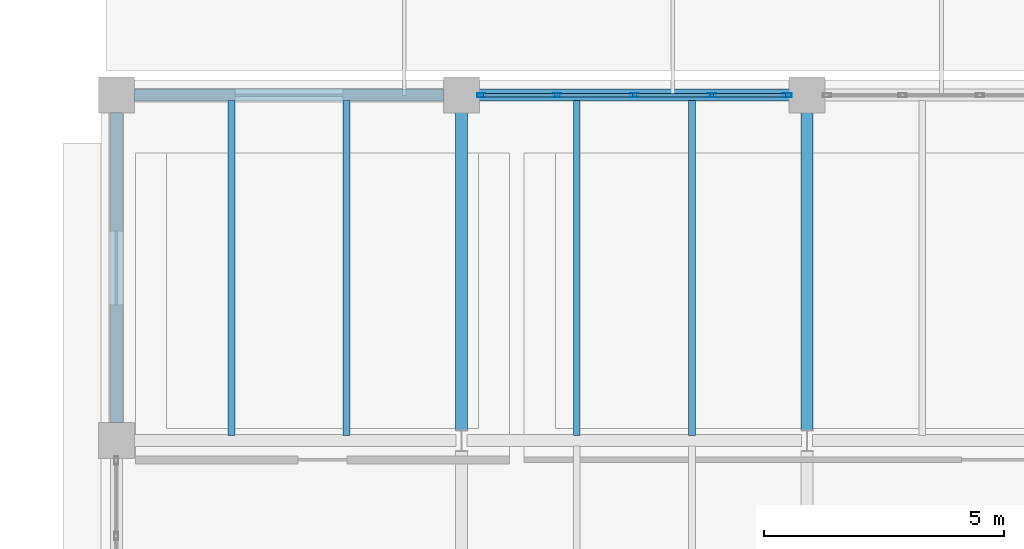
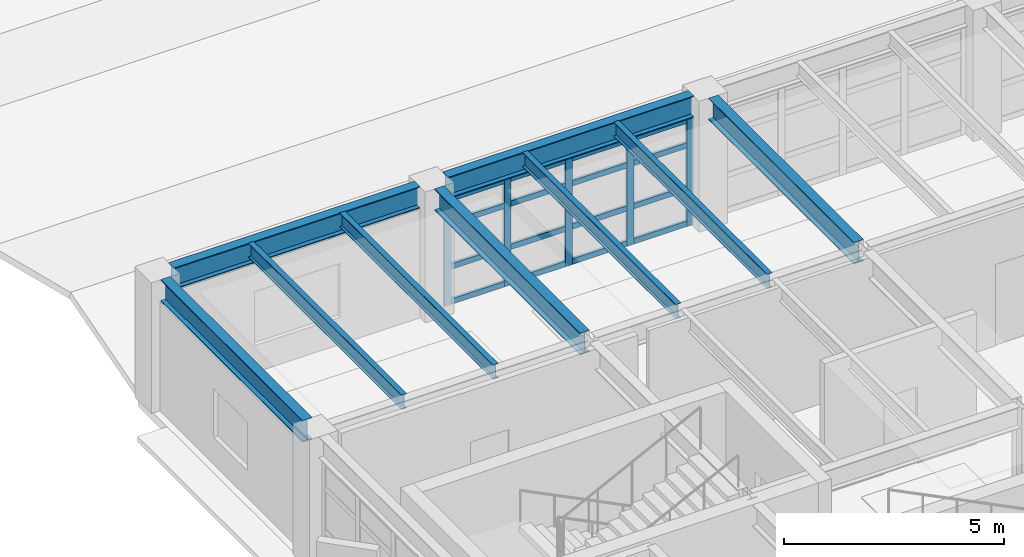
# One storey, part 10 of 48: 21 members, 9 beams, 1 element without a shape of its own.
"""IFC4 building model written with IfcOpenShell, lengths in metres."""

from ifc_helpers import new_model, si_unit, direction, frame, origin, origin_2d, place, context, subcontext, project, spatial, hollow_rectangle, i_section, extrude, material, layer, layer_set, material_profile, profile_set, type_object, element, aggregate, save


model = new_model("IFC4")

# Units and contexts
model_context = context("Model", 3, precision=1e-05, world=origin(), true_north=direction((0.0, 1.0)))
body_context = subcontext(model_context, "Body", "Model", "MODEL_VIEW")
ifc_project = project(units=[si_unit("LENGTHUNIT", "METRE"), si_unit("AREAUNIT", "SQUARE_METRE"), si_unit("VOLUMEUNIT", "CUBIC_METRE"), si_unit("PLANEANGLEUNIT", "RADIAN"), si_unit("MASSUNIT", "GRAM", prefix="KILO")], contexts=[model_context])

# Site, building, storey
site_placement = place(None, origin())
site = spatial("IfcSite", under=ifc_project, at=site_placement, CompositionType="ELEMENT")
building_placement = place(site_placement, origin())
building = spatial("IfcBuilding", under=site, at=building_placement, Name="Kandorven Conservatory and Botanical Research Centre", CompositionType="ELEMENT")
storey_placement = place(building_placement, frame((0.0, 0.0, 13.199951171875)))
storey = spatial("IfcBuildingStorey", under=building, at=storey_placement, Name="L03", CompositionType="ELEMENT", Elevation=13.199951171875)

# Beams
ifc_material_1 = material(Name="Steel S355 (IS 2062 E350)", Category="steel")
ifc_material_profile_1 = material_profile(ifc_material_1, i_section(OverallWidth=0.25, OverallDepth=0.60009765625, WebThickness=0.01171875, FlangeThickness=0.023681640625, at=origin_2d()))
ifc_profile_set_1 = profile_set([ifc_material_profile_1], Name="Steel S355 (IS 2062 E350)")
beam_type_1 = type_object("IfcBeamType", Name="Beam_FG-01", PredefinedType="USERDEFINED", material=ifc_profile_set_1)
for number, where, z_axis, x_axis, name in (
    (1, (6.364990234375, 34.800048828125, 3.3349609375), (1.0, 0.0, 0.0), (0.0, 1.0, 0.0), "Primary girder FG-01 TWR L03"),
    (2, (13.56494140625, 34.800048828125, 3.3349609375), (1.0, 0.0, 0.0), (0.0, 1.0, 0.0), "Primary girder FG-01 TWR L03"),
    (3, (6.0, 27.965087890625, 3.3349609375), (0.0, 1.0, 0.0), (-1.0, 0.0, 0.0), "Primary girder FG-01 TWR L03"),
):
    element("IfcBeam", number, at=place(storey_placement, frame(where, z_axis=z_axis, x_axis=x_axis)), inside=storey, type_object=beam_type_1, Name=name, ObjectType="GIRDER", PredefinedType="USERDEFINED", context=body_context, shape_type="SweptSolid", body=[
        extrude(i_section(OverallWidth=0.25, OverallDepth=0.60009765625, WebThickness=0.01171875, FlangeThickness=0.023681640625, at=origin_2d()), origin(), (0.0, 0.0, 1.0), 6.469970703125),
    ])
for number, where, z_axis, x_axis, name in (
    (4, (13.199951171875, 27.81494140625, 3.3349609375), (0.0, 1.0, 0.0), (-1.0, 0.0, 0.0), "Primary girder FG-01 TWR L03"),
    (5, (20.39990234375, 27.81494140625, 3.3349609375), (0.0, 1.0, 0.0), (-1.0, 0.0, 0.0), "Primary girder FG-01 TWR L03"),
):
    element("IfcBeam", number, at=place(storey_placement, frame(where, z_axis=z_axis, x_axis=x_axis)), inside=storey, type_object=beam_type_1, Name=name, ObjectType="GIRDER", PredefinedType="USERDEFINED", context=body_context, shape_type="SweptSolid", body=[
        extrude(i_section(OverallWidth=0.25, OverallDepth=0.60009765625, WebThickness=0.01171875, FlangeThickness=0.023681640625, at=origin_2d()), origin(), (0.0, 0.0, 1.0), 6.6201171875),
    ])
ifc_material_2 = material(Name="Steel S355 (IS 2062 E350)", Category="steel")
ifc_material_profile_2 = material_profile(ifc_material_2, i_section(OverallWidth=0.139892578125, OverallDepth=0.39990234375, WebThickness=0.0087890625, FlangeThickness=0.01611328125, at=origin_2d()))
ifc_profile_set_2 = profile_set([ifc_material_profile_2], Name="Steel S355 (IS 2062 E350)")
beam_type_2 = type_object("IfcBeamType", Name="Beam_SB-05", PredefinedType="BEAM", material=ifc_profile_set_2)
for number, where, z_axis, x_axis, name in (
    (6, (8.39990234375, 27.7099609375, 3.43505859375), (0.0, 1.0, 0.0), (-1.0, 0.0, 0.0), "Composite secondary beam SB-05 TWR L03"),
    (7, (10.800048828125, 27.7099609375, 3.43505859375), (0.0, 1.0, 0.0), (-1.0, 0.0, 0.0), "Composite secondary beam SB-05 TWR L03"),
    (8, (15.60009765625, 27.7099609375, 3.43505859375), (0.0, 1.0, 0.0), (-1.0, 0.0, 0.0), "Composite secondary beam SB-05 TWR L03"),
    (9, (18.0, 27.7099609375, 3.43505859375), (0.0, 1.0, 0.0), (-1.0, 0.0, 0.0), "Composite secondary beam SB-05 TWR L03"),
):
    element("IfcBeam", number, at=place(storey_placement, frame(where, z_axis=z_axis, x_axis=x_axis)), inside=storey, type_object=beam_type_2, Name=name, PredefinedType="BEAM", context=body_context, shape_type="SweptSolid", body=[
        extrude(i_section(OverallWidth=0.139892578125, OverallDepth=0.39990234375, WebThickness=0.0087890625, FlangeThickness=0.01611328125, at=origin_2d()), origin(), (0.0, 0.0, 1.0), 6.97998046875),
    ])

# Curtain wall, members
ifc_material_3 = material(Name="Bronze anodised thermally broken aluminium", Category="aluminium")
ifc_layer = layer(ifc_material_3, 0.179931640625)
ifc_layer_set = layer_set([ifc_layer], Name="Bronze anodised thermally broken aluminium")
curtain_wall_type = type_object("IfcCurtainWallType", Name="CW_Unitised", PredefinedType="USERDEFINED", material=ifc_layer_set)
curtain_wall_placement = place(storey_placement, origin())
curtain_wall = element("IfcCurtainWall", 10, at=curtain_wall_placement, inside=storey, type_object=curtain_wall_type, Name="Tower laboratory curtain wall CW-TWR-N-L03-2", ObjectType="UNITISED GLAZING", PredefinedType="USERDEFINED")
ifc_material_4 = material(Name="Bronze anodised thermally broken aluminium", Category="aluminium")
ifc_material_profile_3 = material_profile(ifc_material_4, hollow_rectangle(XDim=0.080078125, YDim=0.179931640625, WallThickness=0.006103515625, at=origin_2d()))
ifc_profile_set_3 = profile_set([ifc_material_profile_3], Name="Bronze anodised thermally broken aluminium")
member_type_1 = type_object("IfcMemberType", Name="CW_Mullion", PredefinedType="MULLION", material=ifc_profile_set_3)
member_1_placement = place(storey_placement, frame((13.614990234375, 34.800048828125, 0.0), z_axis=(0.0, 0.0, 1.0), x_axis=(0.0, 1.0, 0.0)))
member_1 = element("IfcMember", 11, at=member_1_placement, type_object=member_type_1, Name="CW-01 mullion 1", PredefinedType="MULLION", context=body_context, shape_type="SweptSolid", body=[
    extrude(hollow_rectangle(XDim=0.080078125, YDim=0.179931640625, WallThickness=0.006103515625, at=origin_2d()), origin(), (0.0, 0.0, 1.0), 3.01513671875),
])
member_2_placement = place(storey_placement, frame((15.1875, 34.800048828125, 0.0), z_axis=(0.0, 0.0, 1.0), x_axis=(0.0, 1.0, 0.0)))
member_2 = element("IfcMember", 12, at=member_2_placement, type_object=member_type_1, Name="CW-01 mullion 2", PredefinedType="MULLION", context=body_context, shape_type="SweptSolid", body=[
    extrude(hollow_rectangle(XDim=0.080078125, YDim=0.179931640625, WallThickness=0.006103515625, at=origin_2d()), origin(), (0.0, 0.0, 1.0), 3.01513671875),
])
member_3_placement = place(storey_placement, frame((16.800048828125, 34.800048828125, 0.0), z_axis=(0.0, 0.0, 1.0), x_axis=(0.0, 1.0, 0.0)))
member_3 = element("IfcMember", 13, at=member_3_placement, type_object=member_type_1, Name="CW-01 mullion 3", PredefinedType="MULLION", context=body_context, shape_type="SweptSolid", body=[
    extrude(hollow_rectangle(XDim=0.080078125, YDim=0.179931640625, WallThickness=0.006103515625, at=origin_2d()), origin(), (0.0, 0.0, 1.0), 3.01513671875),
])
member_4_placement = place(storey_placement, frame((18.41259765625, 34.800048828125, 0.0), z_axis=(0.0, 0.0, 1.0), x_axis=(0.0, 1.0, 0.0)))
member_4 = element("IfcMember", 14, at=member_4_placement, type_object=member_type_1, Name="CW-01 mullion 4", PredefinedType="MULLION", context=body_context, shape_type="SweptSolid", body=[
    extrude(hollow_rectangle(XDim=0.080078125, YDim=0.179931640625, WallThickness=0.006103515625, at=origin_2d()), origin(), (0.0, 0.0, 1.0), 3.01513671875),
])
member_5_placement = place(storey_placement, frame((19.985107421875, 34.800048828125, 0.0), z_axis=(0.0, 0.0, 1.0), x_axis=(0.0, 1.0, 0.0)))
member_5 = element("IfcMember", 15, at=member_5_placement, type_object=member_type_1, Name="CW-01 mullion 5", PredefinedType="MULLION", context=body_context, shape_type="SweptSolid", body=[
    extrude(hollow_rectangle(XDim=0.080078125, YDim=0.179931640625, WallThickness=0.006103515625, at=origin_2d()), origin(), (0.0, 0.0, 1.0), 3.01513671875),
])
ifc_material_5 = material(Name="Bronze anodised thermally broken aluminium", Category="aluminium")
ifc_material_profile_4 = material_profile(ifc_material_5, hollow_rectangle(XDim=0.074951171875, YDim=0.14990234375, WallThickness=0.006103515625, at=origin_2d()))
ifc_profile_set_4 = profile_set([ifc_material_profile_4], Name="Bronze anodised thermally broken aluminium")
member_type_2 = type_object("IfcMemberType", Name="CW_Transom", PredefinedType="USERDEFINED", material=ifc_profile_set_4)
member_6_placement = place(storey_placement, frame((13.655029296875, 34.800048828125, 0.074951171875), z_axis=(1.0, 0.0, 0.0), x_axis=(0.0, 1.0, 0.0)))
member_6 = element("IfcMember", 16, at=member_6_placement, type_object=member_type_2, Name="CW-01 transom 1.1", ObjectType="TRANSOM", PredefinedType="USERDEFINED", context=body_context, shape_type="SweptSolid", body=[
    extrude(hollow_rectangle(XDim=0.074951171875, YDim=0.14990234375, WallThickness=0.006103515625, at=origin_2d()), origin(), (0.0, 0.0, 1.0), 1.492431640625),
])
member_7_placement = place(storey_placement, frame((13.655029296875, 34.800048828125, 1.050048828125), z_axis=(1.0, 0.0, 0.0), x_axis=(0.0, 1.0, 0.0)))
member_7 = element("IfcMember", 17, at=member_7_placement, type_object=member_type_2, Name="CW-01 transom 1.2", ObjectType="TRANSOM", PredefinedType="USERDEFINED", context=body_context, shape_type="SweptSolid", body=[
    extrude(hollow_rectangle(XDim=0.074951171875, YDim=0.14990234375, WallThickness=0.006103515625, at=origin_2d()), origin(), (0.0, 0.0, 1.0), 1.492431640625),
])
member_8_placement = place(storey_placement, frame((13.655029296875, 34.800048828125, 2.25), z_axis=(1.0, 0.0, 0.0), x_axis=(0.0, 1.0, 0.0)))
member_8 = element("IfcMember", 18, at=member_8_placement, type_object=member_type_2, Name="CW-01 transom 1.3", ObjectType="TRANSOM", PredefinedType="USERDEFINED", context=body_context, shape_type="SweptSolid", body=[
    extrude(hollow_rectangle(XDim=0.074951171875, YDim=0.14990234375, WallThickness=0.006103515625, at=origin_2d()), origin(), (0.0, 0.0, 1.0), 1.492431640625),
])
member_9_placement = place(storey_placement, frame((13.655029296875, 34.800048828125, 2.93994140625), z_axis=(1.0, 0.0, 0.0), x_axis=(0.0, 1.0, 0.0)))
member_9 = element("IfcMember", 19, at=member_9_placement, type_object=member_type_2, Name="CW-01 transom 1.4", ObjectType="TRANSOM", PredefinedType="USERDEFINED", context=body_context, shape_type="SweptSolid", body=[
    extrude(hollow_rectangle(XDim=0.074951171875, YDim=0.14990234375, WallThickness=0.006103515625, at=origin_2d()), origin(), (0.0, 0.0, 1.0), 1.492431640625),
])
member_10_placement = place(storey_placement, frame((15.2275390625, 34.800048828125, 0.074951171875), z_axis=(1.0, 0.0, 0.0), x_axis=(0.0, 1.0, 0.0)))
member_10 = element("IfcMember", 20, at=member_10_placement, type_object=member_type_2, Name="CW-01 transom 2.1", ObjectType="TRANSOM", PredefinedType="USERDEFINED", context=body_context, shape_type="SweptSolid", body=[
    extrude(hollow_rectangle(XDim=0.074951171875, YDim=0.14990234375, WallThickness=0.006103515625, at=origin_2d()), origin(), (0.0, 0.0, 1.0), 1.532470703125),
])
member_11_placement = place(storey_placement, frame((15.2275390625, 34.800048828125, 1.050048828125), z_axis=(1.0, 0.0, 0.0), x_axis=(0.0, 1.0, 0.0)))
member_11 = element("IfcMember", 21, at=member_11_placement, type_object=member_type_2, Name="CW-01 transom 2.2", ObjectType="TRANSOM", PredefinedType="USERDEFINED", context=body_context, shape_type="SweptSolid", body=[
    extrude(hollow_rectangle(XDim=0.074951171875, YDim=0.14990234375, WallThickness=0.006103515625, at=origin_2d()), origin(), (0.0, 0.0, 1.0), 1.532470703125),
])
member_12_placement = place(storey_placement, frame((15.2275390625, 34.800048828125, 2.25), z_axis=(1.0, 0.0, 0.0), x_axis=(0.0, 1.0, 0.0)))
member_12 = element("IfcMember", 22, at=member_12_placement, type_object=member_type_2, Name="CW-01 transom 2.3", ObjectType="TRANSOM", PredefinedType="USERDEFINED", context=body_context, shape_type="SweptSolid", body=[
    extrude(hollow_rectangle(XDim=0.074951171875, YDim=0.14990234375, WallThickness=0.006103515625, at=origin_2d()), origin(), (0.0, 0.0, 1.0), 1.532470703125),
])
member_13_placement = place(storey_placement, frame((15.2275390625, 34.800048828125, 2.93994140625), z_axis=(1.0, 0.0, 0.0), x_axis=(0.0, 1.0, 0.0)))
member_13 = element("IfcMember", 23, at=member_13_placement, type_object=member_type_2, Name="CW-01 transom 2.4", ObjectType="TRANSOM", PredefinedType="USERDEFINED", context=body_context, shape_type="SweptSolid", body=[
    extrude(hollow_rectangle(XDim=0.074951171875, YDim=0.14990234375, WallThickness=0.006103515625, at=origin_2d()), origin(), (0.0, 0.0, 1.0), 1.532470703125),
])
member_14_placement = place(storey_placement, frame((16.840087890625, 34.800048828125, 0.074951171875), z_axis=(1.0, 0.0, 0.0), x_axis=(0.0, 1.0, 0.0)))
member_14 = element("IfcMember", 24, at=member_14_placement, type_object=member_type_2, Name="CW-01 transom 3.1", ObjectType="TRANSOM", PredefinedType="USERDEFINED", context=body_context, shape_type="SweptSolid", body=[
    extrude(hollow_rectangle(XDim=0.074951171875, YDim=0.14990234375, WallThickness=0.006103515625, at=origin_2d()), origin(), (0.0, 0.0, 1.0), 1.532470703125),
])
member_15_placement = place(storey_placement, frame((16.840087890625, 34.800048828125, 1.050048828125), z_axis=(1.0, 0.0, 0.0), x_axis=(0.0, 1.0, 0.0)))
member_15 = element("IfcMember", 25, at=member_15_placement, type_object=member_type_2, Name="CW-01 transom 3.2", ObjectType="TRANSOM", PredefinedType="USERDEFINED", context=body_context, shape_type="SweptSolid", body=[
    extrude(hollow_rectangle(XDim=0.074951171875, YDim=0.14990234375, WallThickness=0.006103515625, at=origin_2d()), origin(), (0.0, 0.0, 1.0), 1.532470703125),
])
member_16_placement = place(storey_placement, frame((16.840087890625, 34.800048828125, 2.25), z_axis=(1.0, 0.0, 0.0), x_axis=(0.0, 1.0, 0.0)))
member_16 = element("IfcMember", 26, at=member_16_placement, type_object=member_type_2, Name="CW-01 transom 3.3", ObjectType="TRANSOM", PredefinedType="USERDEFINED", context=body_context, shape_type="SweptSolid", body=[
    extrude(hollow_rectangle(XDim=0.074951171875, YDim=0.14990234375, WallThickness=0.006103515625, at=origin_2d()), origin(), (0.0, 0.0, 1.0), 1.532470703125),
])
member_17_placement = place(storey_placement, frame((16.840087890625, 34.800048828125, 2.93994140625), z_axis=(1.0, 0.0, 0.0), x_axis=(0.0, 1.0, 0.0)))
member_17 = element("IfcMember", 27, at=member_17_placement, type_object=member_type_2, Name="CW-01 transom 3.4", ObjectType="TRANSOM", PredefinedType="USERDEFINED", context=body_context, shape_type="SweptSolid", body=[
    extrude(hollow_rectangle(XDim=0.074951171875, YDim=0.14990234375, WallThickness=0.006103515625, at=origin_2d()), origin(), (0.0, 0.0, 1.0), 1.532470703125),
])
member_18_placement = place(storey_placement, frame((18.452392578125, 34.800048828125, 0.074951171875), z_axis=(1.0, 0.0, 0.0), x_axis=(0.0, 1.0, 0.0)))
member_18 = element("IfcMember", 28, at=member_18_placement, type_object=member_type_2, Name="CW-01 transom 4.1", ObjectType="TRANSOM", PredefinedType="USERDEFINED", context=body_context, shape_type="SweptSolid", body=[
    extrude(hollow_rectangle(XDim=0.074951171875, YDim=0.14990234375, WallThickness=0.006103515625, at=origin_2d()), origin(), (0.0, 0.0, 1.0), 1.49267578125),
])
member_19_placement = place(storey_placement, frame((18.452392578125, 34.800048828125, 1.050048828125), z_axis=(1.0, 0.0, 0.0), x_axis=(0.0, 1.0, 0.0)))
member_19 = element("IfcMember", 29, at=member_19_placement, type_object=member_type_2, Name="CW-01 transom 4.2", ObjectType="TRANSOM", PredefinedType="USERDEFINED", context=body_context, shape_type="SweptSolid", body=[
    extrude(hollow_rectangle(XDim=0.074951171875, YDim=0.14990234375, WallThickness=0.006103515625, at=origin_2d()), origin(), (0.0, 0.0, 1.0), 1.49267578125),
])
member_20_placement = place(storey_placement, frame((18.452392578125, 34.800048828125, 2.25), z_axis=(1.0, 0.0, 0.0), x_axis=(0.0, 1.0, 0.0)))
member_20 = element("IfcMember", 30, at=member_20_placement, type_object=member_type_2, Name="CW-01 transom 4.3", ObjectType="TRANSOM", PredefinedType="USERDEFINED", context=body_context, shape_type="SweptSolid", body=[
    extrude(hollow_rectangle(XDim=0.074951171875, YDim=0.14990234375, WallThickness=0.006103515625, at=origin_2d()), origin(), (0.0, 0.0, 1.0), 1.49267578125),
])
member_21_placement = place(storey_placement, frame((18.452392578125, 34.800048828125, 2.93994140625), z_axis=(1.0, 0.0, 0.0), x_axis=(0.0, 1.0, 0.0)))
member_21 = element("IfcMember", 31, at=member_21_placement, type_object=member_type_2, Name="CW-01 transom 4.4", ObjectType="TRANSOM", PredefinedType="USERDEFINED", context=body_context, shape_type="SweptSolid", body=[
    extrude(hollow_rectangle(XDim=0.074951171875, YDim=0.14990234375, WallThickness=0.006103515625, at=origin_2d()), origin(), (0.0, 0.0, 1.0), 1.49267578125),
])
aggregate(curtain_wall, [member_1, member_2, member_3, member_4, member_5, member_6, member_7, member_8, member_9, member_10, member_11, member_12, member_13, member_14, member_15, member_16, member_17, member_18, member_19, member_20, member_21])

save(model, "model.ifc")
